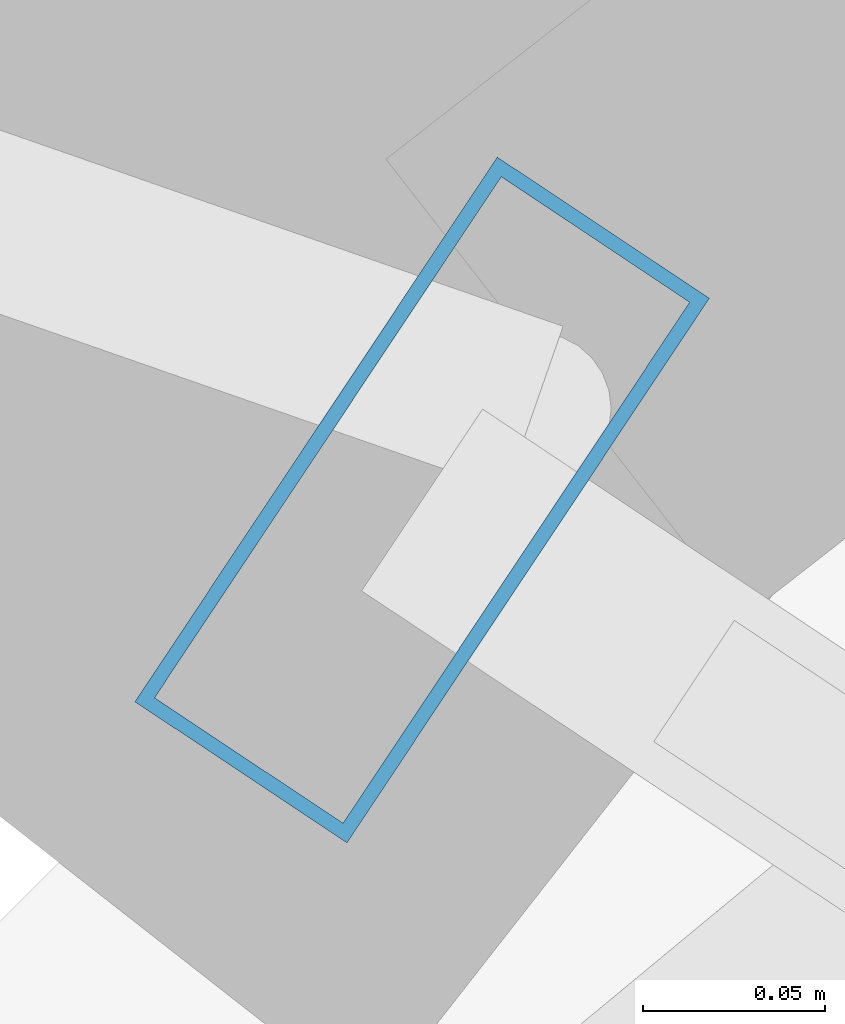
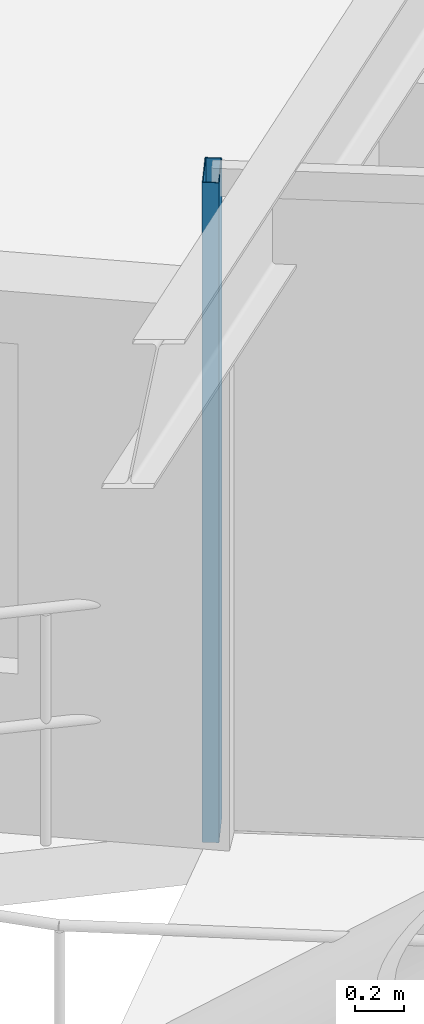
# One storey, part 2 of 21: 1 member, 1 element without a shape of its own.
"""IFC4 building model written with IfcOpenShell, lengths in metres."""

from ifc_helpers import new_model, si_unit, direction, frame, origin, origin_2d, place, context, subcontext, project, spatial, hollow_rectangle, extrude, material, layer, layer_set, material_profile, profile_set, type_object, element, aggregate, save


model = new_model("IFC4")

# Units and contexts
model_context = context("Model", 3, precision=1e-05, world=origin(), true_north=direction((0.0, 1.0)))
body_context = subcontext(model_context, "Body", "Model", "MODEL_VIEW")
ifc_project = project(units=[si_unit("LENGTHUNIT", "METRE"), si_unit("AREAUNIT", "SQUARE_METRE"), si_unit("VOLUMEUNIT", "CUBIC_METRE"), si_unit("PLANEANGLEUNIT", "RADIAN"), si_unit("MASSUNIT", "GRAM", prefix="KILO")], contexts=[model_context])

# Site, building, storey
site_placement = place(None, origin())
site = spatial("IfcSite", under=ifc_project, at=site_placement, CompositionType="ELEMENT")
building_placement = place(site_placement, origin())
building = spatial("IfcBuilding", under=site, at=building_placement, Name="Veldorina Hangang Commons", CompositionType="ELEMENT")
storey_placement = place(building_placement, frame((0.0, 0.0, 73.60009765625)))
storey = spatial("IfcBuildingStorey", under=building, at=storey_placement, Name="L18", CompositionType="ELEMENT", Elevation=73.60009765625)

# Curtain wall, member
ifc_material_1 = material(Name="Glass Low-E Triple IGU", Category="glass")
ifc_layer = layer(ifc_material_1, 0.179931640625)
ifc_layer_set = layer_set([ifc_layer], Name="Glass Low-E Triple IGU")
curtain_wall_type = type_object("IfcCurtainWallType", Name="CW-SYS-Z1", PredefinedType="NOTDEFINED", material=ifc_layer_set)
curtain_wall_placement = place(storey_placement, origin())
curtain_wall = element("IfcCurtainWall", 1, at=curtain_wall_placement, inside=storey, type_object=curtain_wall_type, Name="L18 unitised curtain wall CW-L18-R1", PredefinedType="NOTDEFINED")
ifc_material_2 = material(Name="Aluminium Anodized AA6063-T6", Category="aluminium")
ifc_material_profile = material_profile(ifc_material_2, hollow_rectangle(XDim=0.070068359375, YDim=0.179931640625, WallThickness=0.00390625, at=origin_2d()), Name="ALU-RHS-180x70x4")
ifc_profile_set = profile_set([ifc_material_profile], Name="Aluminium Anodized AA6063-T6")
member_type = type_object("IfcMemberType", Name="CW-MUL-180", PredefinedType="MULLION", material=ifc_profile_set)
member_placement = place(storey_placement, frame((13.302490234375, 8.837890625, 0.0), z_axis=(0.0, 0.0, 1.0), x_axis=(0.832505690486, -0.554016493716, 0.0)))
member = element("IfcMember", 2, at=member_placement, type_object=member_type, Name="CW-L18-R1 vertical mullion 1", PredefinedType="MULLION", context=body_context, shape_type="SweptSolid", body=[
    extrude(hollow_rectangle(XDim=0.070068359375, YDim=0.179931640625, WallThickness=0.00390625, at=origin_2d()), origin(), (0.0, 0.0, 1.0), 3.2998046875),
])
aggregate(curtain_wall, [member])

save(model, "model.ifc")
